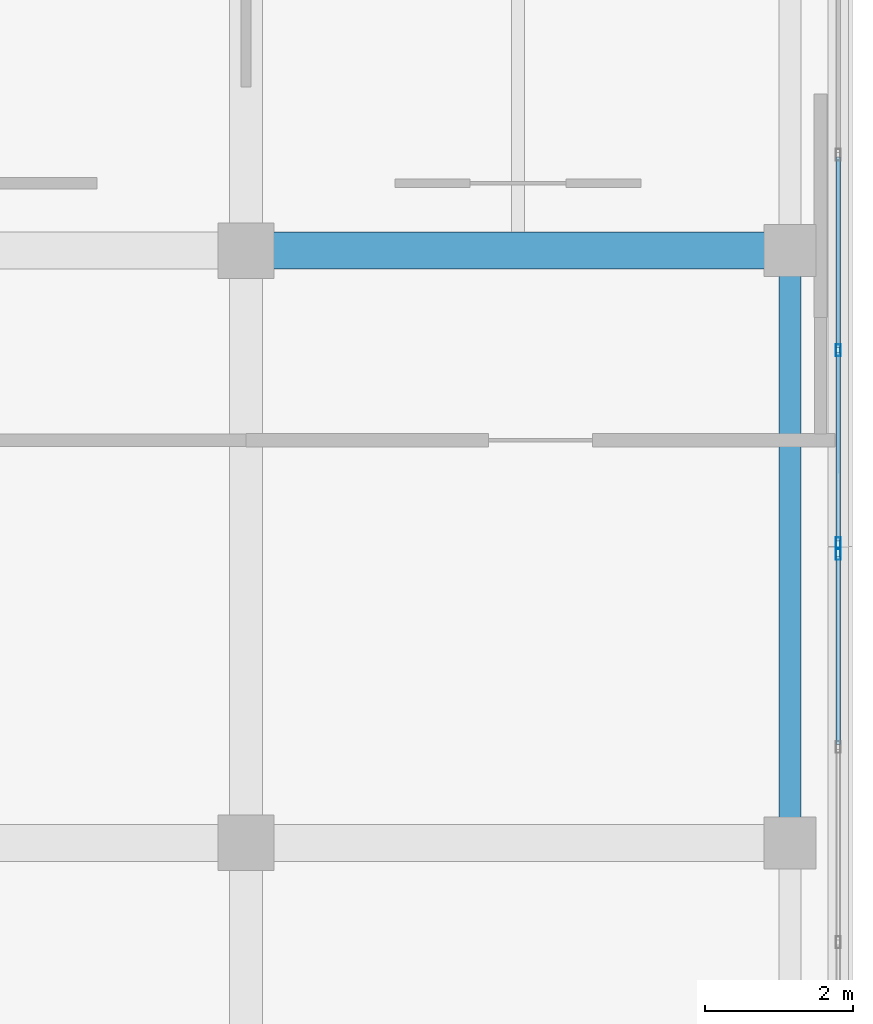
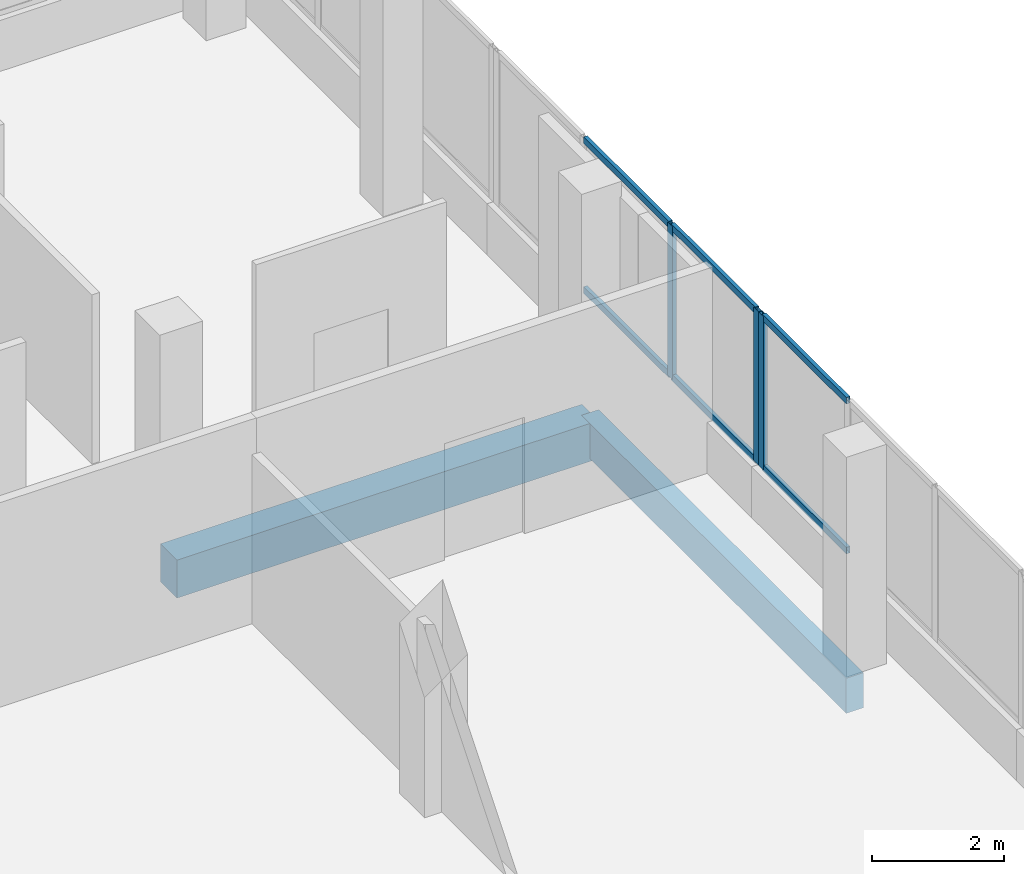
# One storey, part 65 of 101: 9 members, 2 beams, 2 elements without a shape of their own.
"""IFC4 building model written with IfcOpenShell, lengths in metres."""

from ifc_helpers import new_model, si_unit, direction, frame, origin, origin_2d, place, context, subcontext, project, spatial, rectangle, hollow_rectangle, extrude, material, material_profile, profile_set, type_object, element, aggregate, save


model = new_model("IFC4")

# Units and contexts
model_context = context("Model", 3, precision=1e-05, world=origin(), true_north=direction((0.0, 1.0)))
body_context = subcontext(model_context, "Body", "Model", "MODEL_VIEW")
ifc_project = project(units=[si_unit("LENGTHUNIT", "METRE"), si_unit("AREAUNIT", "SQUARE_METRE"), si_unit("VOLUMEUNIT", "CUBIC_METRE"), si_unit("PLANEANGLEUNIT", "RADIAN"), si_unit("MASSUNIT", "GRAM", prefix="KILO")], contexts=[model_context])

# Site, building, storey
site_placement = place(None, origin())
site = spatial("IfcSite", under=ifc_project, at=site_placement, CompositionType="ELEMENT")
building_placement = place(site_placement, origin())
building = spatial("IfcBuilding", under=site, at=building_placement, Name="Selatvlak General Hospital", CompositionType="ELEMENT")
storey_placement = place(building_placement, frame((0.0, 0.0, 19.199951171875)))
storey = spatial("IfcBuildingStorey", under=building, at=storey_placement, Name="L04", CompositionType="ELEMENT", Elevation=19.199951171875)

# Beams
ifc_material_1 = material(Name="Concrete C40/50", Category="concrete")
ifc_material_profile_1 = material_profile(ifc_material_1, rectangle(XDim=0.5, YDim=0.699951171875, at=origin_2d()), Name="RC-BM 500x700")
ifc_profile_set_1 = profile_set([ifc_material_profile_1], Name="Concrete C40/50")
beam_type_1 = type_object("IfcBeamType", Name="BM-G03", PredefinedType="BEAM", material=ifc_profile_set_1)
beam_1_placement = place(storey_placement, frame((174.0, 108.0, -0.655029296875), z_axis=(1.0, 0.0, 0.0), x_axis=(0.0, 1.0, 0.0)))
element("IfcBeam", 1, at=beam_1_placement, inside=storey, type_object=beam_type_1, Name="Beam BMR-L04-1613", PredefinedType="BEAM", context=body_context, shape_type="SweptSolid", body=[
    extrude(rectangle(XDim=0.5, YDim=0.699951171875, at=origin_2d()), origin(), (0.0, 0.0, 1.0), 7.35009765625),
])
ifc_material_profile_2 = material_profile(ifc_material_1, rectangle(XDim=0.300048828125, YDim=0.64990234375, at=origin_2d()), Name="RC-SP 300x650")
ifc_profile_set_2 = profile_set([ifc_material_profile_2], Name="Concrete C40/50")
beam_type_2 = type_object("IfcBeamType", Name="BM-SP1", PredefinedType="SPANDREL", material=ifc_profile_set_2)
beam_2_placement = place(storey_placement, frame((181.35009765625, 100.0, -0.6298828125), z_axis=(0.0, 1.0, 0.0), x_axis=(-1.0, 0.0, 0.0)))
element("IfcBeam", 2, at=beam_2_placement, inside=storey, type_object=beam_type_2, Name="Beam BMR-L04-1773", PredefinedType="SPANDREL", context=body_context, shape_type="SweptSolid", body=[
    extrude(rectangle(XDim=0.300048828125, YDim=0.64990234375, at=origin_2d()), origin(), (0.0, 0.0, 1.0), 8.0),
])

# Curtain wall, members
ifc_material_2 = material(Name="Solar-control Low-E double glazing", Category="glass")
curtain_wall_type_1 = type_object("IfcCurtainWallType", Name="CW-CW-01", PredefinedType="USERDEFINED", material=ifc_material_2)
curtain_wall_1_placement = place(storey_placement, origin())
curtain_wall_1 = element("IfcCurtainWall", 3, at=curtain_wall_1_placement, inside=storey, type_object=curtain_wall_type_1, Name="Glazed facade curtain wall CW-L04-0501", ObjectType="UNITISED CURTAIN WALL", PredefinedType="USERDEFINED")
ifc_material_3 = material(Name="Dark anodised aluminium mullion", Category="aluminium")
ifc_material_profile_3 = material_profile(ifc_material_3, hollow_rectangle(XDim=0.06494140625, YDim=0.159912109375, WallThickness=0.00390625, at=origin_2d()), Name="AL-MUL 65x160x4")
ifc_profile_set_3 = profile_set([ifc_material_profile_3], Name="Dark anodised aluminium mullion")
member_type_1 = type_object("IfcMemberType", Name="CWM-01", PredefinedType="MULLION", material=ifc_profile_set_3)
member_1_placement = place(storey_placement, frame((181.999755859375, 106.65576171875, 0.93994140625), z_axis=(0.0, 0.0, 1.0), x_axis=(0.999999992027, 0.000126278568, 0.0)))
member_1 = element("IfcMember", 4, at=member_1_placement, type_object=member_type_1, Name="CW-01 mullion 3", PredefinedType="MULLION", context=body_context, shape_type="SweptSolid", body=[
    extrude(hollow_rectangle(XDim=0.06494140625, YDim=0.159912109375, WallThickness=0.00390625, at=origin_2d()), origin(), (0.0, 0.0, 1.0), 2.830078125),
])
member_2_placement = place(storey_placement, frame((182.0, 104.048583984375, 0.93994140625), z_axis=(0.0, 0.0, 1.0), x_axis=(0.999999992027, 0.000126278568, 0.0)))
member_2 = element("IfcMember", 5, at=member_2_placement, type_object=member_type_1, Name="CW-01 mullion 4", PredefinedType="MULLION", context=body_context, shape_type="SweptSolid", body=[
    extrude(hollow_rectangle(XDim=0.06494140625, YDim=0.159912109375, WallThickness=0.00390625, at=origin_2d()), origin(), (0.0, 0.0, 1.0), 2.830078125),
])

# Curtain wall, member
curtain_wall_type_2 = type_object("IfcCurtainWallType", Name="CW-CW-02", PredefinedType="USERDEFINED", material=ifc_material_2)
curtain_wall_2_placement = place(storey_placement, origin())
curtain_wall_2 = element("IfcCurtainWall", 6, at=curtain_wall_2_placement, inside=storey, type_object=curtain_wall_type_2, Name="Glazed facade curtain wall CW-L04-0502", ObjectType="UNITISED CURTAIN WALL", PredefinedType="USERDEFINED")
member_3_placement = place(storey_placement, frame((182.0, 103.903564453125, 0.93994140625), z_axis=(0.0, 0.0, 1.0), x_axis=(1.0, 0.0, 0.0)))
member_3 = element("IfcMember", 7, at=member_3_placement, type_object=member_type_1, Name="CW-02 mullion 1", PredefinedType="MULLION", context=body_context, shape_type="SweptSolid", body=[
    extrude(hollow_rectangle(XDim=0.06494140625, YDim=0.159912109375, WallThickness=0.00390625, at=origin_2d()), origin(), (0.0, 0.0, 1.0), 2.830078125),
])

# Member
ifc_material_profile_4 = material_profile(ifc_material_3, hollow_rectangle(XDim=0.06494140625, YDim=0.1201171875, WallThickness=0.00390625, at=origin_2d()), Name="AL-TRN 65x120x4")
ifc_profile_set_4 = profile_set([ifc_material_profile_4], Name="Dark anodised aluminium mullion")
member_type_2 = type_object("IfcMemberType", Name="CWT-01", PredefinedType="USERDEFINED", material=ifc_profile_set_4)
member_4_placement = place(storey_placement, frame((181.999267578125, 109.262939453125, 0.97265625), z_axis=(0.00018964536, -0.999999982017, 0.0), x_axis=(0.999999982017, 0.00018964536, 0.0)))
member_4 = element("IfcMember", 8, at=member_4_placement, type_object=member_type_2, Name="CW-01 transom 2.1", ObjectType="TRANSOM", PredefinedType="USERDEFINED", context=body_context, shape_type="SweptSolid", body=[
    extrude(hollow_rectangle(XDim=0.06494140625, YDim=0.1201171875, WallThickness=0.00390625, at=origin_2d()), origin(), (0.0, 0.0, 1.0), 2.57470703125),
])

member_5_placement = place(storey_placement, frame((181.999267578125, 109.262939453125, 3.737548828125), z_axis=(0.00018964536, -0.999999982017, 0.0), x_axis=(0.999999982017, 0.00018964536, 0.0)))
member_5 = element("IfcMember", 9, at=member_5_placement, type_object=member_type_2, Name="CW-01 transom 2.2", ObjectType="TRANSOM", PredefinedType="USERDEFINED", context=body_context, shape_type="SweptSolid", body=[
    extrude(hollow_rectangle(XDim=0.06494140625, YDim=0.1201171875, WallThickness=0.00390625, at=origin_2d()), origin(), (0.0, 0.0, 1.0), 2.57470703125),
])

member_6_placement = place(storey_placement, frame((181.999755859375, 106.623046875, 0.97265625), z_axis=(9.6043027e-05, -0.999999995388, 0.0), x_axis=(0.999999995388, 9.6043027e-05, 0.0)))
member_6 = element("IfcMember", 10, at=member_6_placement, type_object=member_type_2, Name="CW-01 transom 3.1", ObjectType="TRANSOM", PredefinedType="USERDEFINED", context=body_context, shape_type="SweptSolid", body=[
    extrude(hollow_rectangle(XDim=0.06494140625, YDim=0.1201171875, WallThickness=0.00390625, at=origin_2d()), origin(), (0.0, 0.0, 1.0), 2.5419921875),
])

member_7_placement = place(storey_placement, frame((181.999755859375, 106.623046875, 3.737548828125), z_axis=(9.6043027e-05, -0.999999995388, 0.0), x_axis=(0.999999995388, 9.6043027e-05, 0.0)))
member_7 = element("IfcMember", 11, at=member_7_placement, type_object=member_type_2, Name="CW-01 transom 3.2", ObjectType="TRANSOM", PredefinedType="USERDEFINED", context=body_context, shape_type="SweptSolid", body=[
    extrude(hollow_rectangle(XDim=0.06494140625, YDim=0.1201171875, WallThickness=0.00390625, at=origin_2d()), origin(), (0.0, 0.0, 1.0), 2.5419921875),
])

aggregate(curtain_wall_1, [member_1, member_2, member_4, member_5, member_6, member_7])

member_8_placement = place(storey_placement, frame((182.0, 103.87109375, 0.97265625), z_axis=(0.0, -1.0, 0.0), x_axis=(1.0, 0.0, 0.0)))
member_8 = element("IfcMember", 12, at=member_8_placement, type_object=member_type_2, Name="CW-02 transom 1.1", ObjectType="TRANSOM", PredefinedType="USERDEFINED", context=body_context, shape_type="SweptSolid", body=[
    extrude(hollow_rectangle(XDim=0.06494140625, YDim=0.1201171875, WallThickness=0.00390625, at=origin_2d()), origin(), (0.0, 0.0, 1.0), 2.54248046875),
])

member_9_placement = place(storey_placement, frame((182.0, 103.87109375, 3.737548828125), z_axis=(0.0, -1.0, 0.0), x_axis=(1.0, 0.0, 0.0)))
member_9 = element("IfcMember", 13, at=member_9_placement, type_object=member_type_2, Name="CW-02 transom 1.2", ObjectType="TRANSOM", PredefinedType="USERDEFINED", context=body_context, shape_type="SweptSolid", body=[
    extrude(hollow_rectangle(XDim=0.06494140625, YDim=0.1201171875, WallThickness=0.00390625, at=origin_2d()), origin(), (0.0, 0.0, 1.0), 2.54248046875),
])

aggregate(curtain_wall_2, [member_3, member_8, member_9])

save(model, "model.ifc")
